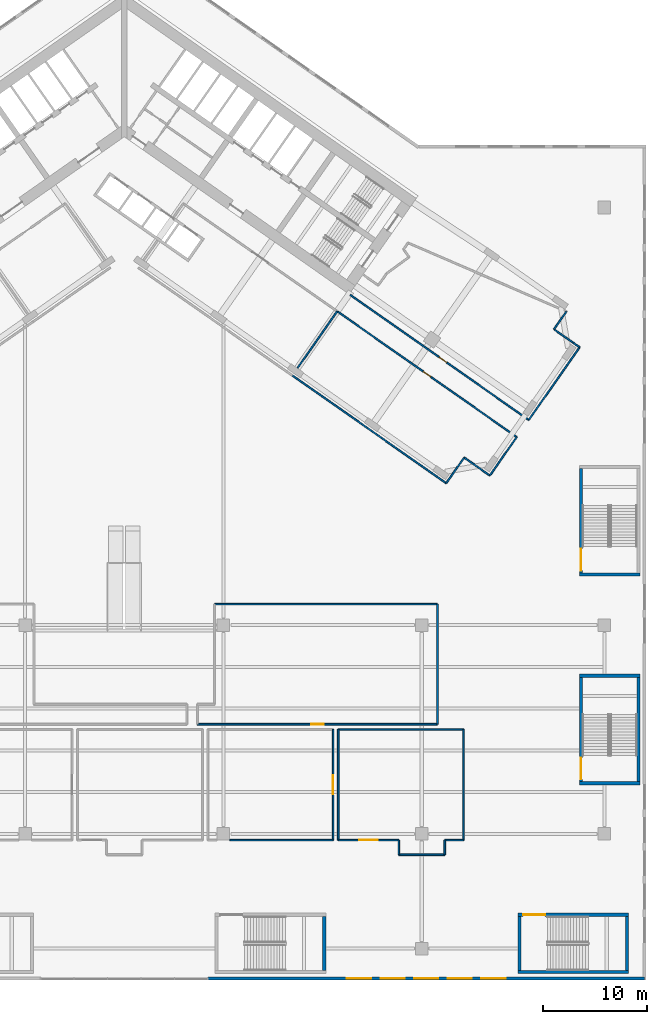
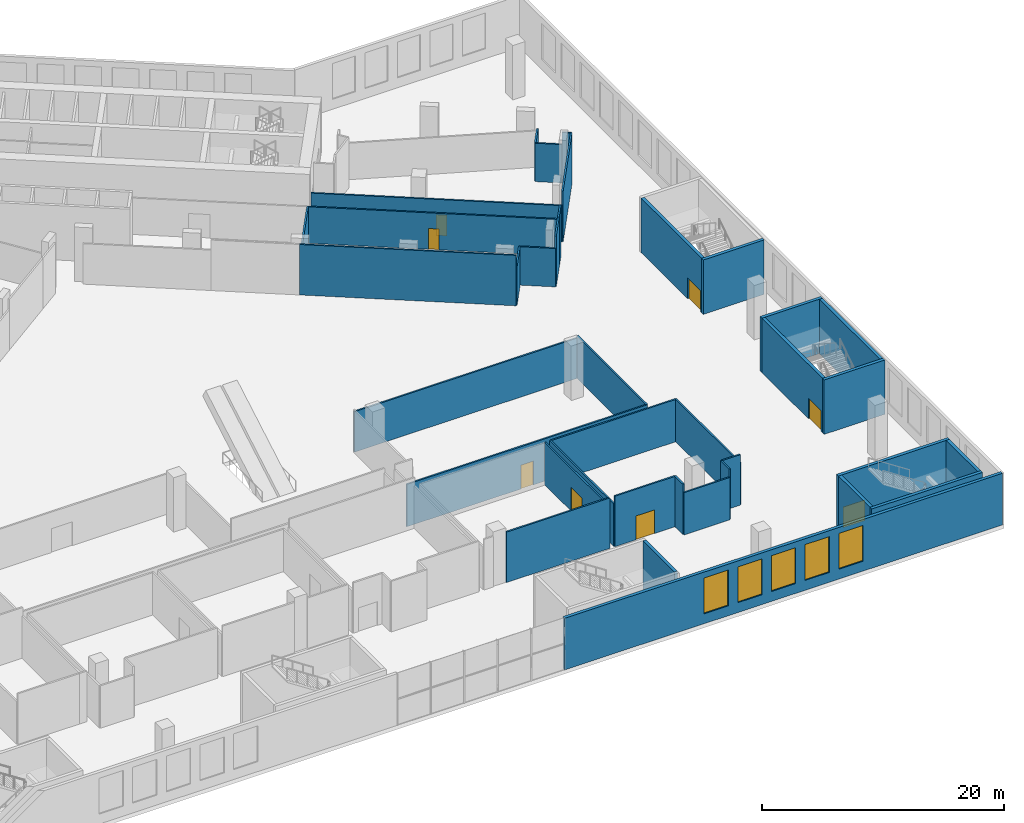
# One storey, part 8 of 26: 37 walls, 8 doors, 5 windows, 13 openings.
"""IFC4 building model written with IfcOpenShell, lengths in metres."""

from ifc_helpers import new_model, si_unit, direction, frame, frame_2d, origin, place, context, subcontext, project, spatial, rectangle, extrude, material, layer, layer_set, type_object, element, fill, save


model = new_model("IFC4")

# Units and contexts
model_context = context("Model", 3, precision=1e-05, world=origin(), true_north=direction((0.0, 1.0)))
body_context = subcontext(model_context, "Body", "Model", "MODEL_VIEW")
ifc_project = project(units=[si_unit("LENGTHUNIT", "METRE"), si_unit("AREAUNIT", "SQUARE_METRE"), si_unit("VOLUMEUNIT", "CUBIC_METRE"), si_unit("PLANEANGLEUNIT", "RADIAN"), si_unit("MASSUNIT", "GRAM", prefix="KILO")], contexts=[model_context])

# Site, building, storey
site_placement = place(None, origin())
site = spatial("IfcSite", under=ifc_project, at=site_placement, CompositionType="ELEMENT")
building_placement = place(site_placement, origin())
building = spatial("IfcBuilding", under=site, at=building_placement, Name="Tel Ilan Convention Tower", CompositionType="ELEMENT")
storey_placement = place(building_placement, frame((0.0, 0.0, 32.0)))
storey = spatial("IfcBuildingStorey", under=building, at=storey_placement, Name="L04", CompositionType="ELEMENT", Elevation=32.0)

# Wall, opening, door
ifc_material_1 = material(Name="Plasterboard on Steel Studs", Category="steel")
ifc_layer_1 = layer(ifc_material_1, 0.14990234375)
ifc_layer_set_1 = layer_set([ifc_layer_1], Name="Fire-rated Partition 150 EI 60")
wall_type_1 = type_object("IfcWallType", Name="Fire-rated Partition 150 EI 60", PredefinedType="PARTITIONING", material=ifc_layer_set_1)
wall_1_placement = place(storey_placement, frame((21.641845703125, -16.37451171875, 0.0), z_axis=(0.0, 0.0, 1.0), x_axis=(0.819148965066, -0.573580833911, 0.0)))
wall_1 = element("IfcWall", 1, at=wall_1_placement, inside=storey, type_object=wall_type_1, Name="Partition 001", PredefinedType="PARTITIONING", context=body_context, shape_type="SweptSolid", body=[
    extrude(rectangle(XDim=20.8798828125, YDim=0.14990234375, at=frame_2d((10.43994140625, 0.0))), origin(), (0.0, 0.0, 1.0), 3.679931640625),
])
opening_1_placement = place(wall_1_placement, frame((10.389892578125, 0.0, 0.0)))
opening_1 = element("IfcOpeningElement", 2, at=opening_1_placement, cuts=wall_1, Name="Opening L04-006", PredefinedType="OPENING", context=body_context, shape_type="SweptSolid", body=[
    extrude(rectangle(XDim=0.89990234375, YDim=2.10009765625, at=frame_2d((0.449951171875, 1.050048828125))), frame((0.0, 0.0849609375, 0.0), z_axis=(0.0, -1.0, 0.0), x_axis=(1.0, 0.0, 0.0)), (0.0, 0.0, 1.0), 0.169921875),
])
ifc_material_2 = material(Name="Timber Door Leaf in Steel Frame", Category="steel")
door_type_1 = type_object("IfcDoorType", Name="Riser and Service Fire Door 900x2100", OperationType="NOTDEFINED", PredefinedType="DOOR", material=ifc_material_2)
door_1_placement = place(opening_1_placement, origin())
door_1 = element("IfcDoor", 3, at=door_1_placement, inside=storey, type_object=door_type_1, Name="Door L04-006", OperationType="SINGLE_SWING_RIGHT", OverallHeight=2.10009765625, OverallWidth=0.89990234375, PredefinedType="DOOR", context=body_context, shape_type="SweptSolid", body=[
    extrude(rectangle(XDim=0.89990234375, YDim=2.10009765625, at=frame_2d((0.449951171875, 1.050048828125))), frame((0.0, 0.02490234375, 0.0), z_axis=(0.0, -1.0, 0.0), x_axis=(1.0, 0.0, 0.0)), (0.0, 0.0, 1.0), 0.050048828125),
])
fill(opening_1, door_1)

wall_2_placement = place(storey_placement, frame((37.5986328125, -29.989013671875, 0.0), z_axis=(0.0, 0.0, 1.0), x_axis=(-0.819154909514, 0.573572344364, 0.0)))
wall_2 = element("IfcWall", 4, at=wall_2_placement, inside=storey, type_object=wall_type_1, Name="Partition 003", PredefinedType="PARTITIONING", context=body_context, shape_type="SweptSolid", body=[
    extrude(rectangle(XDim=21.001953125, YDim=0.14990234375, at=frame_2d((10.5009765625, 0.0))), origin(), (0.0, 0.0, 1.0), 3.679931640625),
])
opening_2_placement = place(wall_2_placement, frame((10.051025390625, 0.0, 0.0)))
opening_2 = element("IfcOpeningElement", 5, at=opening_2_placement, cuts=wall_2, Name="Opening L04-005", PredefinedType="OPENING", context=body_context, shape_type="SweptSolid", body=[
    extrude(rectangle(XDim=0.89990234375, YDim=2.10009765625, at=frame_2d((0.449951171875, 1.050048828125))), frame((0.0, 0.0849609375, 0.0), z_axis=(0.0, -1.0, 0.0), x_axis=(1.0, 0.0, 0.0)), (0.0, 0.0, 1.0), 0.169921875),
])
ifc_material_3 = material(Name="Timber Door Leaf in Steel Frame", Category="steel")
door_type_2 = type_object("IfcDoorType", Name="Room Fire Door 900x2100", OperationType="NOTDEFINED", PredefinedType="DOOR", material=ifc_material_3)
door_2_placement = place(opening_2_placement, origin())
door_2 = element("IfcDoor", 6, at=door_2_placement, inside=storey, type_object=door_type_2, Name="Door L04-005", OperationType="SINGLE_SWING_RIGHT", OverallHeight=2.10009765625, OverallWidth=0.89990234375, PredefinedType="DOOR", context=body_context, shape_type="SweptSolid", body=[
    extrude(rectangle(XDim=0.89990234375, YDim=2.10009765625, at=frame_2d((0.449951171875, 1.050048828125))), frame((0.0, 0.02490234375, 0.0), z_axis=(0.0, -1.0, 0.0), x_axis=(1.0, 0.0, 0.0)), (0.0, 0.0, 1.0), 0.050048828125),
])
fill(opening_2, door_2)

# Walls
wall_3_placement = place(storey_placement, frame((42.357421875, -17.96240234375, 0.0), z_axis=(0.0, 0.0, 1.0), x_axis=(-0.573533201177, -0.819182316183, 0.0)))
element("IfcWall", 7, at=wall_3_placement, inside=storey, type_object=wall_type_1, Name="Partition 007", PredefinedType="PARTITIONING", context=body_context, shape_type="SweptSolid", body=[
    extrude(rectangle(XDim=2.0810546875, YDim=0.14990234375, at=frame_2d((1.04052734375, 0.0))), origin(), (0.0, 0.0, 1.0), 3.8798828125),
])
wall_4_placement = place(storey_placement, frame((41.163818359375, -19.667236328125, 0.0), z_axis=(0.0, 0.0, 1.0), x_axis=(0.81912956014, -0.573608545704, 0.0)))
element("IfcWall", 8, at=wall_4_placement, inside=storey, type_object=wall_type_1, Name="Partition 008", PredefinedType="PARTITIONING", context=body_context, shape_type="SweptSolid", body=[
    extrude(rectangle(XDim=2.2412109375, YDim=0.14990234375, at=frame_2d((1.12060546875, 0.0))), origin(), (0.0, 0.0, 1.0), 3.8798828125),
])
wall_5_placement = place(storey_placement, frame((42.998046875, -20.95166015625, 0.0), z_axis=(0.0, 0.0, 1.0), x_axis=(0.819141432686, -0.573591590992, 0.0)))
element("IfcWall", 9, at=wall_5_placement, inside=storey, type_object=wall_type_1, Name="Partition 009", PredefinedType="PARTITIONING", context=body_context, shape_type="SweptSolid", body=[
    extrude(rectangle(XDim=0.760498046875, YDim=0.14990234375, at=frame_2d((0.38037109375, 0.0))), origin(), (0.0, 0.0, 1.0), 5.10009765625),
])
wall_6_placement = place(storey_placement, frame((43.62109375, -21.387939453125, 0.0), z_axis=(0.0, 0.0, 1.0), x_axis=(-0.57357799764, -0.819150951061, 0.0)))
element("IfcWall", 10, at=wall_6_placement, inside=storey, type_object=wall_type_1, Name="Partition 010", PredefinedType="PARTITIONING", context=body_context, shape_type="SweptSolid", body=[
    extrude(rectangle(XDim=8.500244140625, YDim=0.14990234375, at=frame_2d((4.25, 0.0))), origin(), (0.0, 0.0, 1.0), 5.10009765625),
])
wall_7_placement = place(storey_placement, frame((20.396484375, -17.944091796875, 0.0), z_axis=(0.0, 0.0, 1.0), x_axis=(-0.57359826181, -0.819136761505, 0.0)))
element("IfcWall", 11, at=wall_7_placement, inside=storey, type_object=wall_type_1, Name="Partition 017", PredefinedType="PARTITIONING", context=body_context, shape_type="SweptSolid", body=[
    extrude(rectangle(XDim=6.630126953125, YDim=0.14990234375, at=frame_2d((3.31494140625, 0.0))), origin(), (0.0, 0.0, 1.0), 3.679931640625),
])
wall_8_placement = place(storey_placement, frame((32.56005859375, -31.95458984375, 0.0), z_axis=(0.0, 0.0, 1.0), x_axis=(-0.573560650686, -0.819163097304, 0.0)))
element("IfcWall", 12, at=wall_8_placement, inside=storey, type_object=wall_type_1, Name="Partition 022", PredefinedType="PARTITIONING", context=body_context, shape_type="SweptSolid", body=[
    extrude(rectangle(XDim=3.0, YDim=0.14990234375, at=frame_2d((1.5, 0.0))), origin(), (0.0, 0.0, 1.0), 3.8798828125),
])
wall_9_placement = place(storey_placement, frame((30.83935546875, -34.412109375, 0.0), z_axis=(0.0, 0.0, 1.0), x_axis=(-0.81915226268, 0.573576124456, 0.0)))
element("IfcWall", 13, at=wall_9_placement, inside=storey, type_object=wall_type_1, Name="Partition 023", PredefinedType="PARTITIONING", context=body_context, shape_type="SweptSolid", body=[
    extrude(rectangle(XDim=18.000244140625, YDim=0.14990234375, at=frame_2d((9.0, 0.0))), origin(), (0.0, 0.0, 1.0), 5.10009765625),
])
wall_10_placement = place(storey_placement, frame((36.59912109375, -31.41650390625, 0.0), z_axis=(0.0, 0.0, 1.0), x_axis=(-0.573557416232, -0.819165361991, 0.0)))
element("IfcWall", 14, at=wall_10_placement, inside=storey, type_object=wall_type_1, Name="Partition 024", PredefinedType="PARTITIONING", context=body_context, shape_type="SweptSolid", body=[
    extrude(rectangle(XDim=2.75732421875, YDim=0.14990234375, at=frame_2d((1.378662109375, 0.0))), origin(), (0.0, 0.0, 1.0), 5.10009765625),
])
wall_11_placement = place(storey_placement, frame((35.017578125, -33.67529296875, 0.0), z_axis=(0.0, 0.0, 1.0), x_axis=(-0.819163097304, 0.573560650686, 0.0)))
element("IfcWall", 15, at=wall_11_placement, inside=storey, type_object=wall_type_1, Name="Partition 025", PredefinedType="PARTITIONING", context=body_context, shape_type="SweptSolid", body=[
    extrude(rectangle(XDim=3.0, YDim=0.14990234375, at=frame_2d((1.5, 0.0))), origin(), (0.0, 0.0, 1.0), 3.8798828125),
])
wall_12_placement = place(storey_placement, frame((37.5986328125, -29.989013671875, 0.0), z_axis=(0.0, 0.0, 1.0), x_axis=(-0.573575034625, -0.819153025786, 0.0)))
element("IfcWall", 16, at=wall_12_placement, inside=storey, type_object=wall_type_1, Name="Partition 026", PredefinedType="PARTITIONING", context=body_context, shape_type="SweptSolid", body=[
    extrude(rectangle(XDim=1.74462890625, YDim=0.14990234375, at=frame_2d((0.872314453125, 0.0))), origin(), (0.0, 0.0, 1.0), 5.10009765625),
])

# Wall, opening, door
wall_13_placement = place(storey_placement, frame((20.0009765625, -68.59912109375, 0.0), z_axis=(0.0, 0.0, 1.0), x_axis=(0.0, 1.0, 0.0)))
wall_13 = element("IfcWall", 17, at=wall_13_placement, inside=storey, type_object=wall_type_1, Name="Partition 040", PredefinedType="PARTITIONING", context=body_context, shape_type="SweptSolid", body=[
    extrude(rectangle(XDim=10.59912109375, YDim=0.14990234375, at=frame_2d((5.299560546875, 0.0))), origin(), (0.0, 0.0, 1.0), 4.280029296875),
])
opening_3_placement = place(wall_13_placement, frame((4.3994140625, 0.0, 0.0)))
opening_3 = element("IfcOpeningElement", 18, at=opening_3_placement, cuts=wall_13, Name="Opening L04-011", PredefinedType="OPENING", context=body_context, shape_type="SweptSolid", body=[
    extrude(rectangle(XDim=1.800048828125, YDim=2.39990234375, at=frame_2d((0.89990234375, 1.199951171875))), frame((0.0, 0.0849609375, 0.0), z_axis=(0.0, -1.0, 0.0), x_axis=(1.0, 0.0, 0.0)), (0.0, 0.0, 1.0), 0.169921875),
])
ifc_material_4 = material(Name="Timber Door Leaf in Steel Frame", Category="steel")
door_type_3 = type_object("IfcDoorType", Name="Hall Double Fire Door 1800x2400", OperationType="NOTDEFINED", PredefinedType="DOOR", material=ifc_material_4)
door_3_placement = place(opening_3_placement, origin())
door_3 = element("IfcDoor", 19, at=door_3_placement, inside=storey, type_object=door_type_3, Name="Door L04-011", OperationType="DOUBLE_DOOR_SINGLE_SWING", OverallHeight=2.39990234375, OverallWidth=1.800048828125, PredefinedType="DOOR", context=body_context, shape_type="SweptSolid", body=[
    extrude(rectangle(XDim=1.800048828125, YDim=2.39990234375, at=frame_2d((0.89990234375, 1.199951171875))), frame((0.0, 0.02490234375, 0.0), z_axis=(0.0, -1.0, 0.0), x_axis=(1.0, 0.0, 0.0)), (0.0, 0.0, 1.0), 0.050048828125),
])
fill(opening_3, door_3)

# Walls
wall_14_placement = place(storey_placement, frame((32.5009765625, -68.59912109375, 0.0), z_axis=(0.0, 0.0, 1.0), x_axis=(0.0, 1.0, 0.0)))
element("IfcWall", 20, at=wall_14_placement, inside=storey, type_object=wall_type_1, Name="Partition 043", PredefinedType="PARTITIONING", context=body_context, shape_type="SweptSolid", body=[
    extrude(rectangle(XDim=10.59912109375, YDim=0.14990234375, at=frame_2d((5.299560546875, 0.0))), origin(), (0.0, 0.0, 1.0), 4.280029296875),
])
wall_15_placement = place(storey_placement, frame((32.5, -57.9990234375, 0.0), z_axis=(0.0, 0.0, 1.0), x_axis=(-1.0, 0.0, 0.0)))
element("IfcWall", 21, at=wall_15_placement, inside=storey, type_object=wall_type_1, Name="Partition 044", PredefinedType="PARTITIONING", context=body_context, shape_type="SweptSolid", body=[
    extrude(rectangle(XDim=12.0, YDim=0.14990234375, at=frame_2d((6.0, 0.0))), origin(), (0.0, 0.0, 1.0), 4.280029296875),
])
wall_16_placement = place(storey_placement, frame((20.4990234375, -58.0, 0.0), z_axis=(0.0, 0.0, 1.0), x_axis=(0.0, -1.0, 0.0)))
element("IfcWall", 22, at=wall_16_placement, inside=storey, type_object=wall_type_1, Name="Partition 045", PredefinedType="PARTITIONING", context=body_context, shape_type="SweptSolid", body=[
    extrude(rectangle(XDim=10.59912109375, YDim=0.14990234375, at=frame_2d((5.299560546875, 0.0))), origin(), (0.0, 0.0, 1.0), 4.280029296875),
])

# Wall, opening, door
wall_17_placement = place(storey_placement, frame((7.0, -57.5009765625, 0.0), z_axis=(0.0, 0.0, 1.0), x_axis=(1.0, 0.0, 0.0)))
wall_17 = element("IfcWall", 23, at=wall_17_placement, inside=storey, type_object=wall_type_1, Name="Partition 051", PredefinedType="PARTITIONING", context=body_context, shape_type="SweptSolid", body=[
    extrude(rectangle(XDim=23.0, YDim=0.14990234375, at=frame_2d((11.5, 0.0))), origin(), (0.0, 0.0, 1.0), 4.280029296875),
])
opening_4_placement = place(wall_17_placement, frame((10.89990234375, 0.0, 0.0)))
opening_4 = element("IfcOpeningElement", 24, at=opening_4_placement, cuts=wall_17, Name="Opening L04-014", PredefinedType="OPENING", context=body_context, shape_type="SweptSolid", body=[
    extrude(rectangle(XDim=1.199951171875, YDim=2.39990234375, at=frame_2d((0.60009765625, 1.199951171875))), frame((0.0, 0.0849609375, 0.0), z_axis=(0.0, -1.0, 0.0), x_axis=(1.0, 0.0, 0.0)), (0.0, 0.0, 1.0), 0.169921875),
])
ifc_material_5 = material(Name="Glazed Aluminium Door", Category="aluminium")
door_type_4 = type_object("IfcDoorType", Name="Glazed Lobby Door 1200x2400", OperationType="NOTDEFINED", PredefinedType="DOOR", material=ifc_material_5)
door_4_placement = place(opening_4_placement, origin())
door_4 = element("IfcDoor", 25, at=door_4_placement, inside=storey, type_object=door_type_4, Name="Door L04-014", OperationType="DOUBLE_DOOR_SINGLE_SWING", OverallHeight=2.39990234375, OverallWidth=1.199951171875, PredefinedType="DOOR", context=body_context, shape_type="SweptSolid", body=[
    extrude(rectangle(XDim=1.199951171875, YDim=2.39990234375, at=frame_2d((0.60009765625, 1.199951171875))), frame((0.0, 0.02490234375, 0.0), z_axis=(0.0, -1.0, 0.0), x_axis=(1.0, 0.0, 0.0)), (0.0, 0.0, 1.0), 0.050048828125),
])
fill(opening_4, door_4)

# Walls
wall_18_placement = place(storey_placement, frame((30.0009765625, -57.5, 0.0), z_axis=(0.0, 0.0, 1.0), x_axis=(0.0, 1.0, 0.0)))
element("IfcWall", 26, at=wall_18_placement, inside=storey, type_object=wall_type_1, Name="Partition 052", PredefinedType="PARTITIONING", context=body_context, shape_type="SweptSolid", body=[
    extrude(rectangle(XDim=11.5, YDim=0.14990234375, at=frame_2d((5.75, 0.0))), origin(), (0.0, 0.0, 1.0), 4.280029296875),
])
wall_19_placement = place(storey_placement, frame((30.0, -45.9990234375, 0.0), z_axis=(0.0, 0.0, 1.0), x_axis=(-1.0, 0.0, 0.0)))
element("IfcWall", 27, at=wall_19_placement, inside=storey, type_object=wall_type_1, Name="Partition 053", PredefinedType="PARTITIONING", context=body_context, shape_type="SweptSolid", body=[
    extrude(rectangle(XDim=21.34912109375, YDim=0.14990234375, at=frame_2d((10.674560546875, 0.0))), origin(), (0.0, 0.0, 1.0), 4.080078125),
])
wall_20_placement = place(storey_placement, frame((26.301025390625, -70.0009765625, 0.0), z_axis=(0.0, 0.0, 1.0), x_axis=(1.0, 0.0, 0.0)))
element("IfcWall", 28, at=wall_20_placement, inside=storey, type_object=wall_type_1, Name="Partition 059", PredefinedType="PARTITIONING", context=body_context, shape_type="SweptSolid", body=[
    extrude(rectangle(XDim=4.39794921875, YDim=0.14990234375, at=frame_2d((2.198974609375, 0.0))), origin(), (0.0, 0.0, 1.0), 4.280029296875),
])
wall_21_placement = place(storey_placement, frame((10.1201171875, -68.60009765625, 0.0), z_axis=(0.0, 0.0, 1.0), x_axis=(1.0, 0.0, 0.0)))
element("IfcWall", 29, at=wall_21_placement, inside=storey, type_object=wall_type_1, Name="Partition 074", PredefinedType="PARTITIONING", context=body_context, shape_type="SweptSolid", body=[
    extrude(rectangle(XDim=9.881591796875, YDim=0.14990234375, at=frame_2d((4.94091796875, 0.0))), origin(), (0.0, 0.0, 1.0), 5.10009765625),
])

# Wall, opening, door
wall_22_placement = place(storey_placement, frame((20.498291015625, -68.60009765625, 0.0), z_axis=(0.0, 0.0, 1.0), x_axis=(1.0, 0.0, 0.0)))
wall_22 = element("IfcWall", 30, at=wall_22_placement, inside=storey, type_object=wall_type_1, Name="Partition 075", PredefinedType="PARTITIONING", context=body_context, shape_type="SweptSolid", body=[
    extrude(rectangle(XDim=5.8017578125, YDim=0.14990234375, at=frame_2d((2.90087890625, 0.0))), origin(), (0.0, 0.0, 1.0), 5.10009765625),
])
opening_5_placement = place(wall_22_placement, frame((2.0009765625, 0.0, 0.0)))
opening_5 = element("IfcOpeningElement", 31, at=opening_5_placement, cuts=wall_22, Name="Opening L04-012", PredefinedType="OPENING", context=body_context, shape_type="SweptSolid", body=[
    extrude(rectangle(XDim=1.800048828125, YDim=2.39990234375, at=frame_2d((0.89990234375, 1.199951171875))), frame((0.0, 0.0849609375, 0.0), z_axis=(0.0, -1.0, 0.0), x_axis=(1.0, 0.0, 0.0)), (0.0, 0.0, 1.0), 0.169921875),
])
door_5_placement = place(opening_5_placement, origin())
door_5 = element("IfcDoor", 32, at=door_5_placement, inside=storey, type_object=door_type_3, Name="Door L04-012", OperationType="DOUBLE_DOOR_SINGLE_SWING", OverallHeight=2.39990234375, OverallWidth=1.800048828125, PredefinedType="DOOR", context=body_context, shape_type="SweptSolid", body=[
    extrude(rectangle(XDim=1.800048828125, YDim=2.39990234375, at=frame_2d((0.89990234375, 1.199951171875))), frame((0.0, 0.02490234375, 0.0), z_axis=(0.0, -1.0, 0.0), x_axis=(1.0, 0.0, 0.0)), (0.0, 0.0, 1.0), 0.050048828125),
])
fill(opening_5, door_5)

# Walls
for number, where, z_axis, x_axis, name in (
    (33, (26.300048828125, -68.60009765625, 0.0), (0.0, 0.0, 1.0), (0.0, -1.0, 0.0), "Partition 076"),
    (34, (30.699951171875, -70.001708984375, 0.0), (0.0, 0.0, 1.0), (0.0, 1.0, 0.0), "Partition 077"),
):
    element("IfcWall", number, at=place(storey_placement, frame(where, z_axis=z_axis, x_axis=x_axis)), inside=storey, type_object=wall_type_1, Name=name, PredefinedType="PARTITIONING", context=body_context, shape_type="SweptSolid", body=[
        extrude(rectangle(XDim=1.401611328125, YDim=0.14990234375, at=frame_2d((0.70068359375, 0.0))), origin(), (0.0, 0.0, 1.0), 5.10009765625),
    ])
wall_23_placement = place(storey_placement, frame((30.699951171875, -68.60009765625, 0.0), z_axis=(0.0, 0.0, 1.0), x_axis=(1.0, 0.0, 0.0)))
element("IfcWall", 35, at=wall_23_placement, inside=storey, type_object=wall_type_1, Name="Partition 078", PredefinedType="PARTITIONING", context=body_context, shape_type="SweptSolid", body=[
    extrude(rectangle(XDim=1.8017578125, YDim=0.14990234375, at=frame_2d((0.90087890625, 0.0))), origin(), (0.0, 0.0, 1.0), 5.10009765625),
])

# Wall, openings, windows
ifc_material_6 = material(Name="Bronze aluminium cladding panel on insulated steel frame", Category="steel")
ifc_layer_2 = layer(ifc_material_6, 0.300048828125)
ifc_layer_set_2 = layer_set([ifc_layer_2], Name="PODIUM CLADDING WALL 300")
wall_type_2 = type_object("IfcWallType", Name="PODIUM CLADDING WALL 300", PredefinedType="SOLIDWALL", material=ifc_layer_set_2)
wall_24_placement = place(storey_placement, frame((8.0, -81.85009765625, 0.0), z_axis=(0.0, 0.0, 1.0), x_axis=(1.0, 0.0, 0.0)))
wall_24 = element("IfcWall", 36, at=wall_24_placement, inside=storey, type_object=wall_type_2, Name="Podium cladding wall", PredefinedType="SOLIDWALL", context=body_context, shape_type="SweptSolid", body=[
    extrude(rectangle(XDim=41.85009765625, YDim=0.300048828125, at=frame_2d((20.925048828125, 0.0))), origin(), (0.0, 0.0, 1.0), 5.219970703125),
])
opening_6_placement = place(wall_24_placement, frame((13.326904296875, 0.0, 1.0)))
opening_6 = element("IfcOpeningElement", 37, at=opening_6_placement, cuts=wall_24, Name="Opening W-07.006", PredefinedType="OPENING", context=body_context, shape_type="SweptSolid", body=[
    extrude(rectangle(XDim=2.3193359375, YDim=3.6201171875, at=frame_2d((1.15966796875, 1.81005859375))), frame((0.0, 0.159912109375, 0.0), z_axis=(0.0, -1.0, 0.0), x_axis=(1.0, 0.0, 0.0)), (0.0, 0.0, 1.0), 0.320068359375),
])
opening_7_placement = place(wall_24_placement, frame((16.546142578125, 0.0, 1.0)))
opening_7 = element("IfcOpeningElement", 38, at=opening_7_placement, cuts=wall_24, Name="Opening W-07.007", PredefinedType="OPENING", context=body_context, shape_type="SweptSolid", body=[
    extrude(rectangle(XDim=2.3193359375, YDim=3.6201171875, at=frame_2d((1.15966796875, 1.81005859375))), frame((0.0, 0.159912109375, 0.0), z_axis=(0.0, -1.0, 0.0), x_axis=(1.0, 0.0, 0.0)), (0.0, 0.0, 1.0), 0.320068359375),
])
opening_8_placement = place(wall_24_placement, frame((19.765380859375, 0.0, 1.0)))
opening_8 = element("IfcOpeningElement", 39, at=opening_8_placement, cuts=wall_24, Name="Opening W-07.008", PredefinedType="OPENING", context=body_context, shape_type="SweptSolid", body=[
    extrude(rectangle(XDim=2.3193359375, YDim=3.6201171875, at=frame_2d((1.15966796875, 1.81005859375))), frame((0.0, 0.159912109375, 0.0), z_axis=(0.0, -1.0, 0.0), x_axis=(1.0, 0.0, 0.0)), (0.0, 0.0, 1.0), 0.320068359375),
])
opening_9_placement = place(wall_24_placement, frame((22.984619140625, 0.0, 1.0)))
opening_9 = element("IfcOpeningElement", 40, at=opening_9_placement, cuts=wall_24, Name="Opening W-07.009", PredefinedType="OPENING", context=body_context, shape_type="SweptSolid", body=[
    extrude(rectangle(XDim=2.3193359375, YDim=3.6201171875, at=frame_2d((1.15966796875, 1.81005859375))), frame((0.0, 0.159912109375, 0.0), z_axis=(0.0, -1.0, 0.0), x_axis=(1.0, 0.0, 0.0)), (0.0, 0.0, 1.0), 0.320068359375),
])
opening_10_placement = place(wall_24_placement, frame((26.203857421875, 0.0, 1.0)))
opening_10 = element("IfcOpeningElement", 41, at=opening_10_placement, cuts=wall_24, Name="Opening W-07.010", PredefinedType="OPENING", context=body_context, shape_type="SweptSolid", body=[
    extrude(rectangle(XDim=2.3193359375, YDim=3.6201171875, at=frame_2d((1.15966796875, 1.81005859375))), frame((0.0, 0.159912109375, 0.0), z_axis=(0.0, -1.0, 0.0), x_axis=(1.0, 0.0, 0.0)), (0.0, 0.0, 1.0), 0.320068359375),
])
ifc_material_7 = material(Name="Aluminium framed glazing, bronze anodised, tinted glass", Category="aluminium")
window_type = type_object("IfcWindowType", Name="PODIUM WINDOW 2319x3620", PartitioningType="SINGLE_PANEL", PredefinedType="WINDOW", material=ifc_material_7)
window_1_placement = place(opening_6_placement, origin())
window_1 = element("IfcWindow", 42, at=window_1_placement, inside=storey, type_object=window_type, Name="Podium window", OverallHeight=3.6201171875, OverallWidth=2.3193359375, PartitioningType="SINGLE_PANEL", PredefinedType="WINDOW", context=body_context, shape_type="SweptSolid", body=[
    extrude(rectangle(XDim=2.3193359375, YDim=3.6201171875, at=frame_2d((1.15966796875, 1.81005859375))), frame((0.0, 0.030029296875, 0.0), z_axis=(0.0, -1.0, 0.0), x_axis=(1.0, 0.0, 0.0)), (0.0, 0.0, 1.0), 0.06005859375),
])
fill(opening_6, window_1)
window_2_placement = place(opening_7_placement, origin())
window_2 = element("IfcWindow", 43, at=window_2_placement, inside=storey, type_object=window_type, Name="Podium window", OverallHeight=3.6201171875, OverallWidth=2.3193359375, PartitioningType="SINGLE_PANEL", PredefinedType="WINDOW", context=body_context, shape_type="SweptSolid", body=[
    extrude(rectangle(XDim=2.3193359375, YDim=3.6201171875, at=frame_2d((1.15966796875, 1.81005859375))), frame((0.0, 0.030029296875, 0.0), z_axis=(0.0, -1.0, 0.0), x_axis=(1.0, 0.0, 0.0)), (0.0, 0.0, 1.0), 0.06005859375),
])
fill(opening_7, window_2)
window_3_placement = place(opening_8_placement, origin())
window_3 = element("IfcWindow", 44, at=window_3_placement, inside=storey, type_object=window_type, Name="Podium window", OverallHeight=3.6201171875, OverallWidth=2.3193359375, PartitioningType="SINGLE_PANEL", PredefinedType="WINDOW", context=body_context, shape_type="SweptSolid", body=[
    extrude(rectangle(XDim=2.3193359375, YDim=3.6201171875, at=frame_2d((1.15966796875, 1.81005859375))), frame((0.0, 0.030029296875, 0.0), z_axis=(0.0, -1.0, 0.0), x_axis=(1.0, 0.0, 0.0)), (0.0, 0.0, 1.0), 0.06005859375),
])
fill(opening_8, window_3)
window_4_placement = place(opening_9_placement, origin())
window_4 = element("IfcWindow", 45, at=window_4_placement, inside=storey, type_object=window_type, Name="Podium window", OverallHeight=3.6201171875, OverallWidth=2.3193359375, PartitioningType="SINGLE_PANEL", PredefinedType="WINDOW", context=body_context, shape_type="SweptSolid", body=[
    extrude(rectangle(XDim=2.3193359375, YDim=3.6201171875, at=frame_2d((1.15966796875, 1.81005859375))), frame((0.0, 0.030029296875, 0.0), z_axis=(0.0, -1.0, 0.0), x_axis=(1.0, 0.0, 0.0)), (0.0, 0.0, 1.0), 0.06005859375),
])
fill(opening_9, window_4)
window_5_placement = place(opening_10_placement, origin())
window_5 = element("IfcWindow", 46, at=window_5_placement, inside=storey, type_object=window_type, Name="Podium window", OverallHeight=3.6201171875, OverallWidth=2.3193359375, PartitioningType="SINGLE_PANEL", PredefinedType="WINDOW", context=body_context, shape_type="SweptSolid", body=[
    extrude(rectangle(XDim=2.3193359375, YDim=3.6201171875, at=frame_2d((1.15966796875, 1.81005859375))), frame((0.0, 0.030029296875, 0.0), z_axis=(0.0, -1.0, 0.0), x_axis=(1.0, 0.0, 0.0)), (0.0, 0.0, 1.0), 0.06005859375),
])
fill(opening_10, window_5)

# Walls
ifc_material_8 = material(Name="Concrete C40/50", Category="concrete")
ifc_layer_3 = layer(ifc_material_8, 0.300048828125)
ifc_layer_set_3 = layer_set([ifc_layer_3], Name="Stair Enclosure Wall 300 mm C40/50")
wall_type_3 = type_object("IfcWallType", Name="Stair Enclosure Wall 300 mm C40/50", PredefinedType="SOLIDWALL", material=ifc_layer_set_3)
wall_25_placement = place(storey_placement, frame((19.14990234375, -81.10009765625, 0.0), z_axis=(0.0, 0.0, 1.0), x_axis=(0.0, 1.0, 0.0)))
element("IfcWall", 47, at=wall_25_placement, inside=storey, type_object=wall_type_3, Name="P3 stair enclosure wall E L04", PredefinedType="SOLIDWALL", context=body_context, shape_type="SweptSolid", body=[
    extrude(rectangle(XDim=5.2001953125, YDim=0.300048828125, at=frame_2d((2.60009765625, 0.0))), origin(), (0.0, 0.0, 1.0), 5.5),
])
wall_26_placement = place(storey_placement, frame((37.699951171875, -81.25, 0.0), z_axis=(0.0, 0.0, 1.0), x_axis=(1.0, 0.0, 0.0)))
element("IfcWall", 48, at=wall_26_placement, inside=storey, type_object=wall_type_3, Name="P4 stair enclosure wall S L04", PredefinedType="SOLIDWALL", context=body_context, shape_type="SweptSolid", body=[
    extrude(rectangle(XDim=10.60009765625, YDim=0.300048828125, at=frame_2d((5.300048828125, 0.0))), origin(), (0.0, 0.0, 1.0), 5.5),
])

# Wall, opening, door
wall_27_placement = place(storey_placement, frame((37.699951171875, -75.75, 0.0), z_axis=(0.0, 0.0, 1.0), x_axis=(1.0, 0.0, 0.0)))
wall_27 = element("IfcWall", 49, at=wall_27_placement, inside=storey, type_object=wall_type_3, Name="P4 stair enclosure wall N L04", PredefinedType="SOLIDWALL", context=body_context, shape_type="SweptSolid", body=[
    extrude(rectangle(XDim=10.60009765625, YDim=0.300048828125, at=frame_2d((5.300048828125, 0.0))), origin(), (0.0, 0.0, 1.0), 5.5),
])
opening_11_placement = place(wall_27_placement, frame((0.512451171875, 0.0, 0.0)))
opening_11 = element("IfcOpeningElement", 50, at=opening_11_placement, cuts=wall_27, Name="Opening PD407", PredefinedType="OPENING", context=body_context, shape_type="SweptSolid", body=[
    extrude(rectangle(XDim=2.10009765625, YDim=2.10009765625, at=frame_2d((1.050048828125, 1.050048828125))), frame((0.0, 0.159912109375, 0.0), z_axis=(0.0, -1.0, 0.0), x_axis=(1.0, 0.0, 0.0)), (0.0, 0.0, 1.0), 0.320068359375),
])
ifc_material_9 = material(Name="Galvanised Steel Door Leaf", Category="steel")
door_type_5 = type_object("IfcDoorType", Name="Stair Fire Door 2100 x 2100 FD60S", OperationType="NOTDEFINED", PredefinedType="DOOR", material=ifc_material_9)
door_6_placement = place(opening_11_placement, origin())
door_6 = element("IfcDoor", 51, at=door_6_placement, inside=storey, type_object=door_type_5, Name="Stair P4 floor door", OperationType="DOUBLE_DOOR_SINGLE_SWING", OverallHeight=2.10009765625, OverallWidth=2.10009765625, PredefinedType="DOOR", context=body_context, shape_type="SweptSolid", body=[
    extrude(rectangle(XDim=2.10009765625, YDim=2.10009765625, at=frame_2d((1.050048828125, 1.050048828125))), frame((0.0, 0.02490234375, 0.0), z_axis=(0.0, -1.0, 0.0), x_axis=(1.0, 0.0, 0.0)), (0.0, 0.0, 1.0), 0.050048828125),
])
fill(opening_11, door_6)

# Walls
for number, where, z_axis, x_axis, name in (
    (52, (37.85009765625, -81.10009765625, 0.0), (0.0, 0.0, 1.0), (0.0, 1.0, 0.0), "P4 stair enclosure wall W L04"),
    (53, (48.14990234375, -81.10009765625, 0.0), (0.0, 0.0, 1.0), (0.0, 1.0, 0.0), "P4 stair enclosure wall E L04"),
):
    element("IfcWall", number, at=place(storey_placement, frame(where, z_axis=z_axis, x_axis=x_axis)), inside=storey, type_object=wall_type_3, Name=name, PredefinedType="SOLIDWALL", context=body_context, shape_type="SweptSolid", body=[
        extrude(rectangle(XDim=5.2001953125, YDim=0.300048828125, at=frame_2d((2.60009765625, 0.0))), origin(), (0.0, 0.0, 1.0), 5.5),
    ])
for number, where, z_axis, x_axis, name in (
    (54, (43.60009765625, -63.14990234375, 0.0), (0.0, 0.0, 1.0), (1.0, 0.0, 0.0), "P6 stair enclosure wall S L04"),
    (55, (43.60009765625, -52.85009765625, 0.0), (0.0, 0.0, 1.0), (1.0, 0.0, 0.0), "P6 stair enclosure wall N L04"),
):
    element("IfcWall", number, at=place(storey_placement, frame(where, z_axis=z_axis, x_axis=x_axis)), inside=storey, type_object=wall_type_3, Name=name, PredefinedType="SOLIDWALL", context=body_context, shape_type="SweptSolid", body=[
        extrude(rectangle(XDim=5.7998046875, YDim=0.300048828125, at=frame_2d((2.89990234375, 0.0))), origin(), (0.0, 0.0, 1.0), 5.5),
    ])

# Wall, opening, door
wall_28_placement = place(storey_placement, frame((43.75, -63.0, 0.0), z_axis=(0.0, 0.0, 1.0), x_axis=(0.0, 1.0, 0.0)))
wall_28 = element("IfcWall", 56, at=wall_28_placement, inside=storey, type_object=wall_type_3, Name="P6 stair enclosure wall W L04", PredefinedType="SOLIDWALL", context=body_context, shape_type="SweptSolid", body=[
    extrude(rectangle(XDim=10.0, YDim=0.300048828125, at=frame_2d((5.0, 0.0))), origin(), (0.0, 0.0, 1.0), 5.5),
])
opening_12_placement = place(wall_28_placement, frame((0.21240234375, 0.0, 0.0)))
opening_12 = element("IfcOpeningElement", 57, at=opening_12_placement, cuts=wall_28, Name="Opening PD607", PredefinedType="OPENING", context=body_context, shape_type="SweptSolid", body=[
    extrude(rectangle(XDim=2.10009765625, YDim=2.10009765625, at=frame_2d((1.050048828125, 1.050048828125))), frame((0.0, 0.159912109375, 0.0), z_axis=(0.0, -1.0, 0.0), x_axis=(1.0, 0.0, 0.0)), (0.0, 0.0, 1.0), 0.320068359375),
])
door_7_placement = place(opening_12_placement, origin())
door_7 = element("IfcDoor", 58, at=door_7_placement, inside=storey, type_object=door_type_5, Name="Stair P6 floor door", OperationType="DOUBLE_DOOR_SINGLE_SWING", OverallHeight=2.10009765625, OverallWidth=2.10009765625, PredefinedType="DOOR", context=body_context, shape_type="SweptSolid", body=[
    extrude(rectangle(XDim=2.10009765625, YDim=2.10009765625, at=frame_2d((1.050048828125, 1.050048828125))), frame((0.0, 0.02490234375, 0.0), z_axis=(0.0, -1.0, 0.0), x_axis=(1.0, 0.0, 0.0)), (0.0, 0.0, 1.0), 0.050048828125),
])
fill(opening_12, door_7)

# Walls
wall_29_placement = place(storey_placement, frame((49.25, -63.0, 0.0), z_axis=(0.0, 0.0, 1.0), x_axis=(0.0, 1.0, 0.0)))
element("IfcWall", 59, at=wall_29_placement, inside=storey, type_object=wall_type_3, Name="P6 stair enclosure wall E L04", PredefinedType="SOLIDWALL", context=body_context, shape_type="SweptSolid", body=[
    extrude(rectangle(XDim=10.0, YDim=0.300048828125, at=frame_2d((5.0, 0.0))), origin(), (0.0, 0.0, 1.0), 5.5),
])
wall_30_placement = place(storey_placement, frame((43.60009765625, -43.14990234375, 0.0), z_axis=(0.0, 0.0, 1.0), x_axis=(1.0, 0.0, 0.0)))
element("IfcWall", 60, at=wall_30_placement, inside=storey, type_object=wall_type_3, Name="P8 stair enclosure wall S L04", PredefinedType="SOLIDWALL", context=body_context, shape_type="SweptSolid", body=[
    extrude(rectangle(XDim=5.7998046875, YDim=0.300048828125, at=frame_2d((2.89990234375, 0.0))), origin(), (0.0, 0.0, 1.0), 5.5),
])

# Wall, opening, door
wall_31_placement = place(storey_placement, frame((43.75, -43.0, 0.0), z_axis=(0.0, 0.0, 1.0), x_axis=(0.0, 1.0, 0.0)))
wall_31 = element("IfcWall", 61, at=wall_31_placement, inside=storey, type_object=wall_type_3, Name="P8 stair enclosure wall W L04", PredefinedType="SOLIDWALL", context=body_context, shape_type="SweptSolid", body=[
    extrude(rectangle(XDim=10.0, YDim=0.300048828125, at=frame_2d((5.0, 0.0))), origin(), (0.0, 0.0, 1.0), 5.5),
])
opening_13_placement = place(wall_31_placement, frame((0.21240234375, 0.0, 0.0)))
opening_13 = element("IfcOpeningElement", 62, at=opening_13_placement, cuts=wall_31, Name="Opening PD807", PredefinedType="OPENING", context=body_context, shape_type="SweptSolid", body=[
    extrude(rectangle(XDim=2.10009765625, YDim=2.10009765625, at=frame_2d((1.050048828125, 1.050048828125))), frame((0.0, 0.159912109375, 0.0), z_axis=(0.0, -1.0, 0.0), x_axis=(1.0, 0.0, 0.0)), (0.0, 0.0, 1.0), 0.320068359375),
])
door_8_placement = place(opening_13_placement, origin())
door_8 = element("IfcDoor", 63, at=door_8_placement, inside=storey, type_object=door_type_5, Name="Stair P8 floor door", OperationType="DOUBLE_DOOR_SINGLE_SWING", OverallHeight=2.10009765625, OverallWidth=2.10009765625, PredefinedType="DOOR", context=body_context, shape_type="SweptSolid", body=[
    extrude(rectangle(XDim=2.10009765625, YDim=2.10009765625, at=frame_2d((1.050048828125, 1.050048828125))), frame((0.0, 0.02490234375, 0.0), z_axis=(0.0, -1.0, 0.0), x_axis=(1.0, 0.0, 0.0)), (0.0, 0.0, 1.0), 0.050048828125),
])
fill(opening_13, door_8)

save(model, "model.ifc")
